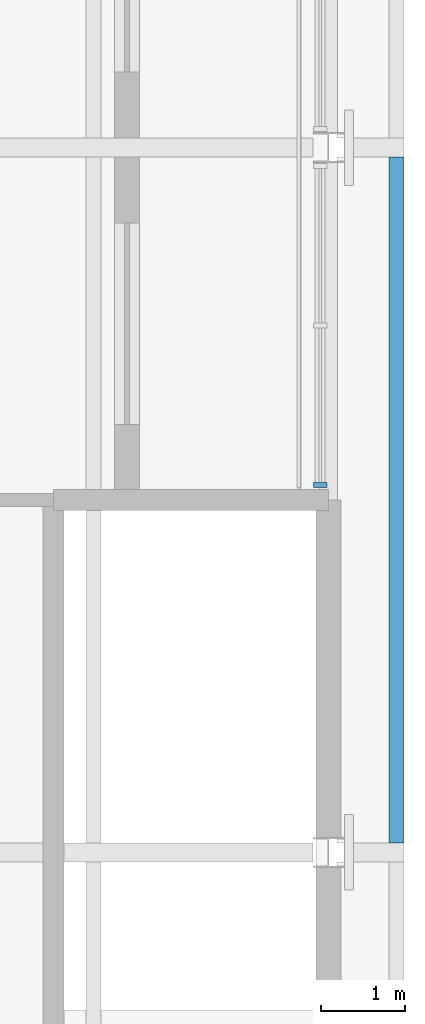
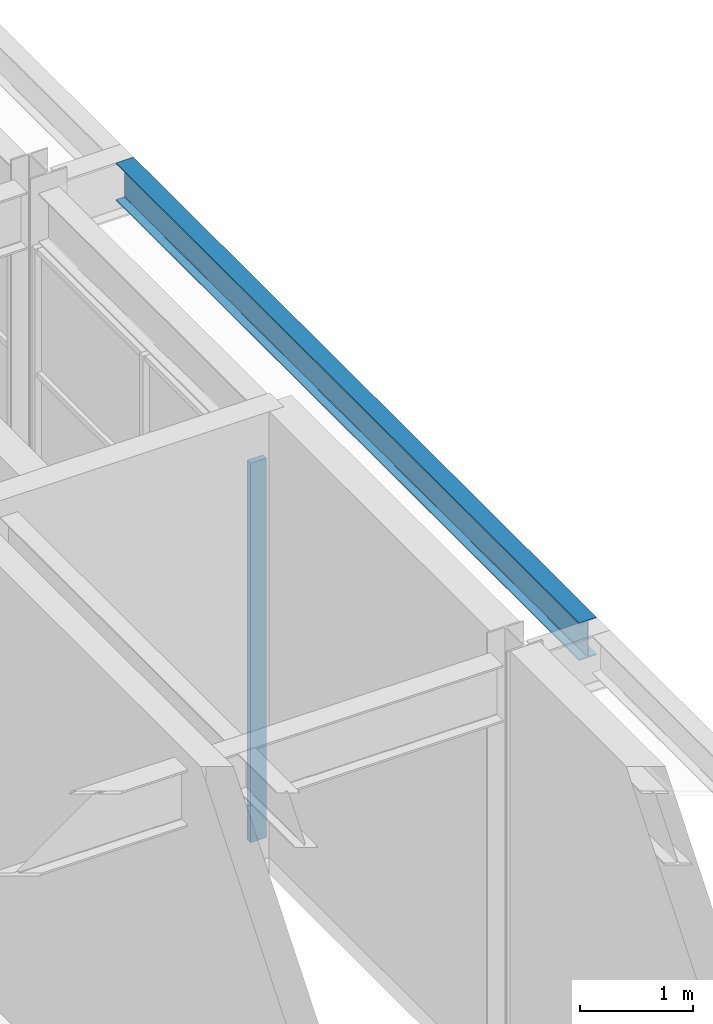
# One storey, part 29 of 116: 1 beam, 1 member, 1 element without a shape of its own.
"""IFC4 building model written with IfcOpenShell, lengths in metres."""

from ifc_helpers import new_model, si_unit, direction, frame, origin, origin_2d, place, context, subcontext, project, spatial, rectangle, i_section, extrude, material, material_profile, profile_set, type_object, element, aggregate, save


model = new_model("IFC4")

# Units and contexts
model_context = context("Model", 3, precision=1e-05, world=origin(), true_north=direction((0.0, 1.0)))
body_context = subcontext(model_context, "Body", "Model", "MODEL_VIEW")
ifc_project = project(units=[si_unit("LENGTHUNIT", "METRE"), si_unit("AREAUNIT", "SQUARE_METRE"), si_unit("VOLUMEUNIT", "CUBIC_METRE"), si_unit("PLANEANGLEUNIT", "RADIAN"), si_unit("MASSUNIT", "GRAM", prefix="KILO")], contexts=[model_context])

# Site, building, storey
site_placement = place(None, origin())
site = spatial("IfcSite", under=ifc_project, at=site_placement, CompositionType="ELEMENT")
building_placement = place(site_placement, origin())
building = spatial("IfcBuilding", under=site, at=building_placement, Name="Ljudholm Concert House", CompositionType="ELEMENT")
storey_placement = place(building_placement, frame((0.0, 0.0, 10.199951171875)))
storey = spatial("IfcBuildingStorey", under=building, at=storey_placement, Name="L02", CompositionType="ELEMENT", Elevation=10.199951171875)

# Curtain wall, member
ifc_material_1 = material(Name="Aluminium curtain wall with fixed aluminium storm louvre blades, timber-grain finish", Category="aluminium")
curtain_wall_type = type_object("IfcCurtainWallType", Name="CURTAIN WALL 2000", PredefinedType="NOTDEFINED", material=ifc_material_1)
curtain_wall_placement = place(storey_placement, origin())
curtain_wall = element("IfcCurtainWall", 1, at=curtain_wall_placement, inside=storey, type_object=curtain_wall_type, Name="Storm louvre screen", PredefinedType="NOTDEFINED")
ifc_material_2 = material(Name="Aluminium extrusion", Category="aluminium")
ifc_material_profile_1 = material_profile(ifc_material_2, rectangle(XDim=0.159912109375, YDim=0.06005859375, at=origin_2d()), Name="MULLION 60x160")
ifc_profile_set_1 = profile_set([ifc_material_profile_1], Name="Aluminium extrusion")
member_type = type_object("IfcMemberType", Name="MULLION 60x160", PredefinedType="MULLION", material=ifc_profile_set_1)
member_placement = place(storey_placement, frame((121.5, 67.179931640625, 0.0), z_axis=(0.0, 0.0, 1.0), x_axis=(-1.0, 0.0, 0.0)))
member = element("IfcMember", 2, at=member_placement, type_object=member_type, Name="Mullion", PredefinedType="MULLION", context=body_context, shape_type="SweptSolid", body=[
    extrude(rectangle(XDim=0.159912109375, YDim=0.06005859375, at=origin_2d()), origin(), (0.0, 0.0, 1.0), 4.086669921875),
])
aggregate(curtain_wall, [member])

# Beam
ifc_material_3 = material(Name="Steel ASTM A992", Category="steel")
ifc_material_profile_2 = material_profile(ifc_material_3, i_section(OverallWidth=0.177734375, OverallDepth=0.406494140625, WebThickness=0.0078125, FlangeThickness=0.012939453125, FilletRadius=0.01025390625, at=origin_2d()), Name="W16X40")
ifc_profile_set_2 = profile_set([ifc_material_profile_2], Name="Steel ASTM A992")
beam_type = type_object("IfcBeamType", Name="STEEL BEAM W16X40", PredefinedType="BEAM", material=ifc_profile_set_2)
beam_placement = place(storey_placement, frame((122.4111328125, 62.91455078125, 4.416748046875), z_axis=(0.0, 1.0, 0.0), x_axis=(-1.0, 0.0, 0.0)))
element("IfcBeam", 3, at=beam_placement, inside=storey, type_object=beam_type, Name="Beam BOH-ROOF-eave-edge-E8", PredefinedType="BEAM", context=body_context, shape_type="SweptSolid", body=[
    extrude(i_section(OverallWidth=0.177734375, OverallDepth=0.406494140625, WebThickness=0.0078125, FlangeThickness=0.012939453125, FilletRadius=0.01025390625, at=origin_2d()), origin(), (0.0, 0.0, 1.0), 8.1708984375),
])

save(model, "model.ifc")
